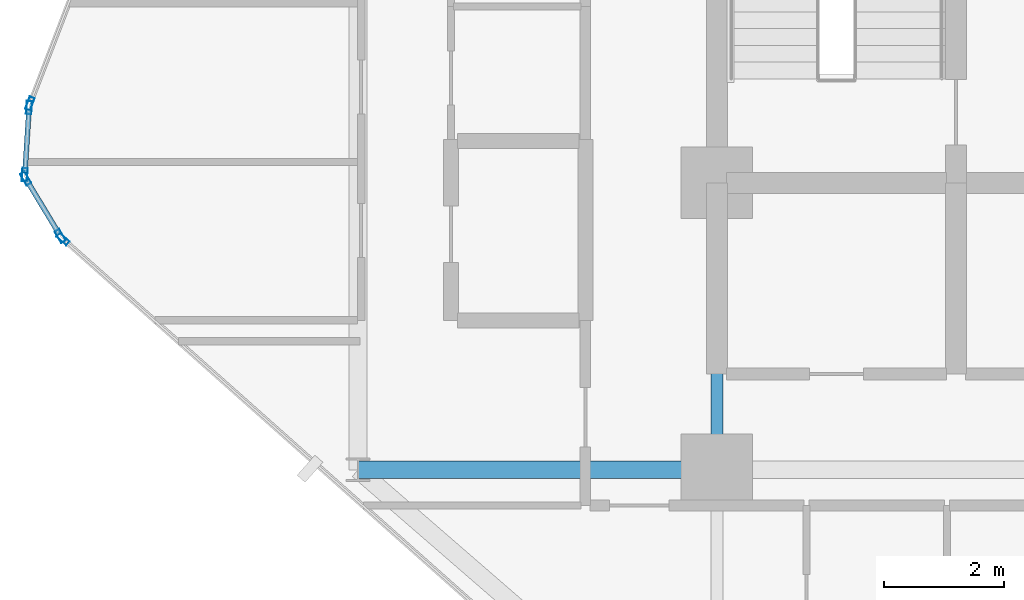
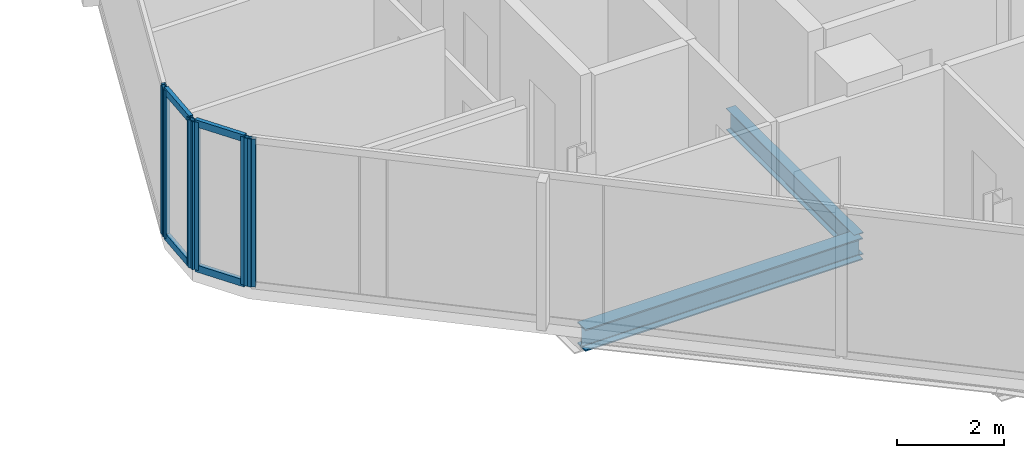
# One storey, part 6 of 34: 10 members, 2 beams, 4 elements without a shape of their own.
"""IFC4 building model written with IfcOpenShell, lengths in metres."""

from ifc_helpers import new_model, si_unit, direction, frame, origin, origin_2d, place, context, subcontext, project, spatial, hollow_rectangle, i_section, extrude, material, layer, layer_set, material_profile, profile_set, type_object, element, aggregate, save


model = new_model("IFC4")

# Units and contexts
model_context = context("Model", 3, precision=1e-05, world=origin(), true_north=direction((0.0, 1.0)))
body_context = subcontext(model_context, "Body", "Model", "MODEL_VIEW")
ifc_project = project(units=[si_unit("LENGTHUNIT", "METRE"), si_unit("AREAUNIT", "SQUARE_METRE"), si_unit("VOLUMEUNIT", "CUBIC_METRE"), si_unit("PLANEANGLEUNIT", "RADIAN"), si_unit("MASSUNIT", "GRAM", prefix="KILO")], contexts=[model_context])

# Site, building, storey
site_placement = place(None, origin())
site = spatial("IfcSite", under=ifc_project, at=site_placement, CompositionType="ELEMENT")
building_placement = place(site_placement, origin())
building = spatial("IfcBuilding", under=site, at=building_placement, Name="Keshet Zoharim Tower", CompositionType="ELEMENT")
storey_placement = place(building_placement, frame((0.0, 0.0, 70.10009765625)))
storey = spatial("IfcBuildingStorey", under=building, at=storey_placement, Name="L16", CompositionType="ELEMENT", Elevation=70.10009765625)

# Beams
ifc_material_1 = material(Name="Steel S355", Category="steel")
ifc_material_profile_1 = material_profile(ifc_material_1, i_section(OverallWidth=0.199951171875, OverallDepth=0.5, WebThickness=0.01025390625, FlangeThickness=0.01611328125, FilletRadius=0.02099609375, at=origin_2d()), Name="IPE500")
ifc_profile_set_1 = profile_set([ifc_material_profile_1], Name="Steel S355")
beam_type_1 = type_object("IfcBeamType", Name="BM-PRI-IP500", PredefinedType="BEAM", material=ifc_profile_set_1)
beam_1_placement = place(storey_placement, frame((15.0, 17.89990234375, -0.565185546875), z_axis=(0.0, 1.0, 0.0), x_axis=(-1.0, 0.0, 0.0)))
element("IfcBeam", 1, at=beam_1_placement, inside=storey, type_object=beam_type_1, Name="L16 Primary Girder Y-003", PredefinedType="BEAM", context=body_context, shape_type="SweptSolid", body=[
    extrude(i_section(OverallWidth=0.199951171875, OverallDepth=0.5, WebThickness=0.01025390625, FlangeThickness=0.01611328125, FilletRadius=0.02099609375, at=origin_2d()), origin(), (0.0, 0.0, 1.0), 4.800048828125),
])
ifc_material_profile_2 = material_profile(ifc_material_1, i_section(OverallWidth=0.300048828125, OverallDepth=0.5, WebThickness=0.014404296875, FlangeThickness=0.028076171875, FilletRadius=0.027099609375, at=origin_2d()), Name="HEB500")
ifc_profile_set_2 = profile_set([ifc_material_profile_2], Name="Steel S355")
beam_type_2 = type_object("IfcBeamType", Name="BM-WEB-HB500", PredefinedType="BEAM", material=ifc_profile_set_2)
beam_2_placement = place(storey_placement, frame((9.0, 17.89990234375, -0.565185546875), z_axis=(1.0, 0.0, 0.0), x_axis=(0.0, 1.0, 0.0)))
element("IfcBeam", 2, at=beam_2_placement, inside=storey, type_object=beam_type_2, Name="L16 Primary Girder X-015", PredefinedType="BEAM", context=body_context, shape_type="SweptSolid", body=[
    extrude(i_section(OverallWidth=0.300048828125, OverallDepth=0.5, WebThickness=0.014404296875, FlangeThickness=0.028076171875, FilletRadius=0.027099609375, at=origin_2d()), origin(), (0.0, 0.0, 1.0), 6.0),
])

# Curtain wall, member
ifc_material_2 = material(Name="Aluminium 6063-T6", Category="aluminium")
ifc_layer = layer(ifc_material_2, 0.179931640625)
ifc_layer_set = layer_set([ifc_layer], Name="Aluminium 6063-T6")
curtain_wall_type = type_object("IfcCurtainWallType", Name="CW-SYS-01", PredefinedType="NOTDEFINED", material=ifc_layer_set)
curtain_wall_1_placement = place(storey_placement, origin())
curtain_wall_1 = element("IfcCurtainWall", 3, at=curtain_wall_1_placement, inside=storey, type_object=curtain_wall_type, Name="L16 Unitised Curtain Wall 01", PredefinedType="NOTDEFINED")
ifc_material_profile_3 = material_profile(ifc_material_2, hollow_rectangle(XDim=0.090087890625, YDim=0.219970703125, WallThickness=0.0048828125, at=origin_2d()), Name="MUL-90x220")
ifc_profile_set_3 = profile_set([ifc_material_profile_3], Name="Aluminium 6063-T6")
member_type_1 = type_object("IfcMemberType", Name="CWM-M22", PredefinedType="MULLION", material=ifc_profile_set_3)
member_1_placement = place(storey_placement, frame((4.061279296875, 21.7568359375, 0.0), z_axis=(0.0, 0.0, 1.0), x_axis=(-0.664363838836, -0.747409318679, 0.0)))
member_1 = element("IfcMember", 4, at=member_1_placement, type_object=member_type_1, Name="CW-01 mullion 3", PredefinedType="MULLION", context=body_context, shape_type="SweptSolid", body=[
    extrude(hollow_rectangle(XDim=0.090087890625, YDim=0.219970703125, WallThickness=0.0048828125, at=origin_2d()), origin(), (0.0, 0.0, 1.0), 3.385009765625),
])
aggregate(curtain_wall_1, [member_1])

# Curtain wall, members
curtain_wall_2_placement = place(storey_placement, origin())
curtain_wall_2 = element("IfcCurtainWall", 5, at=curtain_wall_2_placement, inside=storey, type_object=curtain_wall_type, Name="L16 Unitised Curtain Wall 02", PredefinedType="NOTDEFINED")
member_2_placement = place(storey_placement, frame((4.016845703125, 21.81005859375, 0.0), z_axis=(0.0, 0.0, 1.0), x_axis=(-0.856826433805, -0.515604947933, 0.0)))
member_2 = element("IfcMember", 6, at=member_2_placement, type_object=member_type_1, Name="CW-01 mullion 1", PredefinedType="MULLION", context=body_context, shape_type="SweptSolid", body=[
    extrude(hollow_rectangle(XDim=0.090087890625, YDim=0.219970703125, WallThickness=0.0048828125, at=origin_2d()), origin(), (0.0, 0.0, 1.0), 3.385009765625),
])
member_3_placement = place(storey_placement, frame((3.43798828125, 22.77197265625, 0.0), z_axis=(0.0, 0.0, 1.0), x_axis=(-0.856826433805, -0.515604947933, 0.0)))
member_3 = element("IfcMember", 7, at=member_3_placement, type_object=member_type_1, Name="CW-01 mullion 2", PredefinedType="MULLION", context=body_context, shape_type="SweptSolid", body=[
    extrude(hollow_rectangle(XDim=0.090087890625, YDim=0.219970703125, WallThickness=0.0048828125, at=origin_2d()), origin(), (0.0, 0.0, 1.0), 3.385009765625),
])

curtain_wall_3_placement = place(storey_placement, origin())
curtain_wall_3 = element("IfcCurtainWall", 8, at=curtain_wall_3_placement, inside=storey, type_object=curtain_wall_type, Name="L16 Unitised Curtain Wall 03", PredefinedType="NOTDEFINED")
member_4_placement = place(storey_placement, frame((3.42236328125, 22.8369140625, 0.0), z_axis=(0.0, 0.0, 1.0), x_axis=(-0.997916617186, 0.064516859374, 0.0)))
member_4 = element("IfcMember", 9, at=member_4_placement, type_object=member_type_1, Name="CW-01 mullion 1", PredefinedType="MULLION", context=body_context, shape_type="SweptSolid", body=[
    extrude(hollow_rectangle(XDim=0.090087890625, YDim=0.219970703125, WallThickness=0.0048828125, at=origin_2d()), origin(), (0.0, 0.0, 1.0), 3.385009765625),
])
member_5_placement = place(storey_placement, frame((3.49462890625, 23.9580078125, 0.0), z_axis=(0.0, 0.0, 1.0), x_axis=(-0.997916617186, 0.064516859374, 0.0)))
member_5 = element("IfcMember", 10, at=member_5_placement, type_object=member_type_1, Name="CW-01 mullion 2", PredefinedType="MULLION", context=body_context, shape_type="SweptSolid", body=[
    extrude(hollow_rectangle(XDim=0.090087890625, YDim=0.219970703125, WallThickness=0.0048828125, at=origin_2d()), origin(), (0.0, 0.0, 1.0), 3.385009765625),
])

# Curtain wall, member
curtain_wall_4_placement = place(storey_placement, origin())
curtain_wall_4 = element("IfcCurtainWall", 11, at=curtain_wall_4_placement, inside=storey, type_object=curtain_wall_type, Name="L16 Unitised Curtain Wall 04", PredefinedType="NOTDEFINED")
member_6_placement = place(storey_placement, frame((3.509521484375, 24.025634765625, 0.0), z_axis=(0.0, 0.0, 1.0), x_axis=(-0.933341404361, 0.358990003907, 0.0)))
member_6 = element("IfcMember", 12, at=member_6_placement, type_object=member_type_1, Name="CW-01 mullion 1", PredefinedType="MULLION", context=body_context, shape_type="SweptSolid", body=[
    extrude(hollow_rectangle(XDim=0.090087890625, YDim=0.219970703125, WallThickness=0.0048828125, at=origin_2d()), origin(), (0.0, 0.0, 1.0), 3.385009765625),
])
aggregate(curtain_wall_4, [member_6])

# Member
ifc_material_profile_4 = material_profile(ifc_material_2, hollow_rectangle(XDim=0.0849609375, YDim=0.159912109375, WallThickness=0.00439453125, at=origin_2d()), Name="TRN-85x160")
ifc_profile_set_4 = profile_set([ifc_material_profile_4], Name="Aluminium 6063-T6")
member_type_2 = type_object("IfcMemberType", Name="CWT-T16", PredefinedType="USERDEFINED", material=ifc_profile_set_4)
member_7_placement = place(storey_placement, frame((3.9990234375, 21.840087890625, 0.034912109375), z_axis=(-0.515791194107, 0.856714330499, 0.0), x_axis=(-0.856714330499, -0.515791194107, 0.0)))
member_7 = element("IfcMember", 13, at=member_7_placement, type_object=member_type_2, Name="CW-01 transom 1.1", ObjectType="TRANSOM", PredefinedType="USERDEFINED", context=body_context, shape_type="SweptSolid", body=[
    extrude(hollow_rectangle(XDim=0.0849609375, YDim=0.159912109375, WallThickness=0.00439453125, at=origin_2d()), origin(), (0.0, 0.0, 1.0), 1.052734375),
])

member_8_placement = place(storey_placement, frame((3.9990234375, 21.840087890625, 3.349853515625), z_axis=(-0.515791194107, 0.856714330499, 0.0), x_axis=(-0.856714330499, -0.515791194107, 0.0)))
member_8 = element("IfcMember", 14, at=member_8_placement, type_object=member_type_2, Name="CW-01 transom 1.2", ObjectType="TRANSOM", PredefinedType="USERDEFINED", context=body_context, shape_type="SweptSolid", body=[
    extrude(hollow_rectangle(XDim=0.0849609375, YDim=0.159912109375, WallThickness=0.00439453125, at=origin_2d()), origin(), (0.0, 0.0, 1.0), 1.052734375),
])

aggregate(curtain_wall_2, [member_2, member_3, member_7, member_8])

member_9_placement = place(storey_placement, frame((3.424560546875, 22.871826171875, 0.034912109375), z_axis=(0.064426947155, 0.997922426083, 0.0), x_axis=(-0.997922426083, 0.064426947155, 0.0)))
member_9 = element("IfcMember", 15, at=member_9_placement, type_object=member_type_2, Name="CW-01 transom 1.1", ObjectType="TRANSOM", PredefinedType="USERDEFINED", context=body_context, shape_type="SweptSolid", body=[
    extrude(hollow_rectangle(XDim=0.0849609375, YDim=0.159912109375, WallThickness=0.00439453125, at=origin_2d()), origin(), (0.0, 0.0, 1.0), 1.053466796875),
])

member_10_placement = place(storey_placement, frame((3.424560546875, 22.871826171875, 3.349853515625), z_axis=(0.064426947155, 0.997922426083, 0.0), x_axis=(-0.997922426083, 0.064426947155, 0.0)))
member_10 = element("IfcMember", 16, at=member_10_placement, type_object=member_type_2, Name="CW-01 transom 1.2", ObjectType="TRANSOM", PredefinedType="USERDEFINED", context=body_context, shape_type="SweptSolid", body=[
    extrude(hollow_rectangle(XDim=0.0849609375, YDim=0.159912109375, WallThickness=0.00439453125, at=origin_2d()), origin(), (0.0, 0.0, 1.0), 1.053466796875),
])

aggregate(curtain_wall_3, [member_4, member_5, member_9, member_10])

save(model, "model.ifc")
